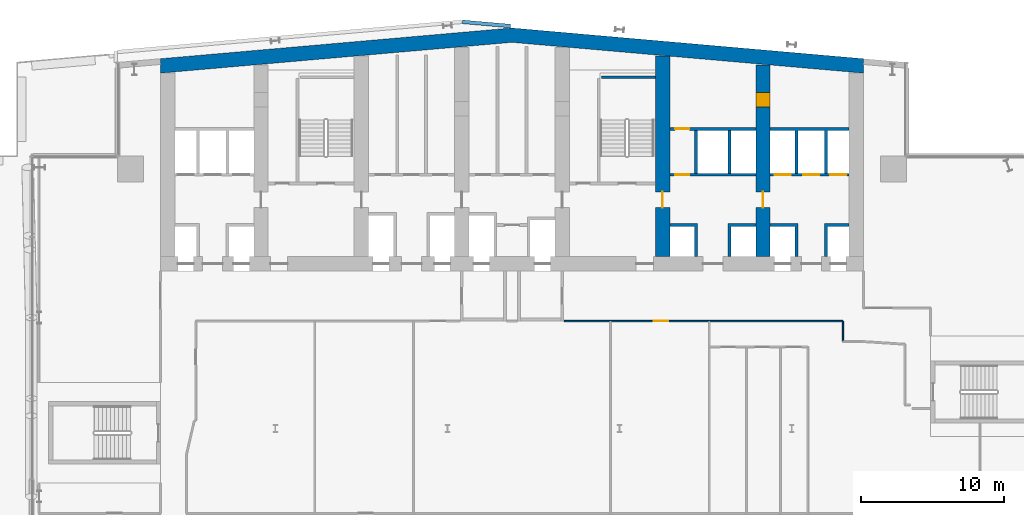
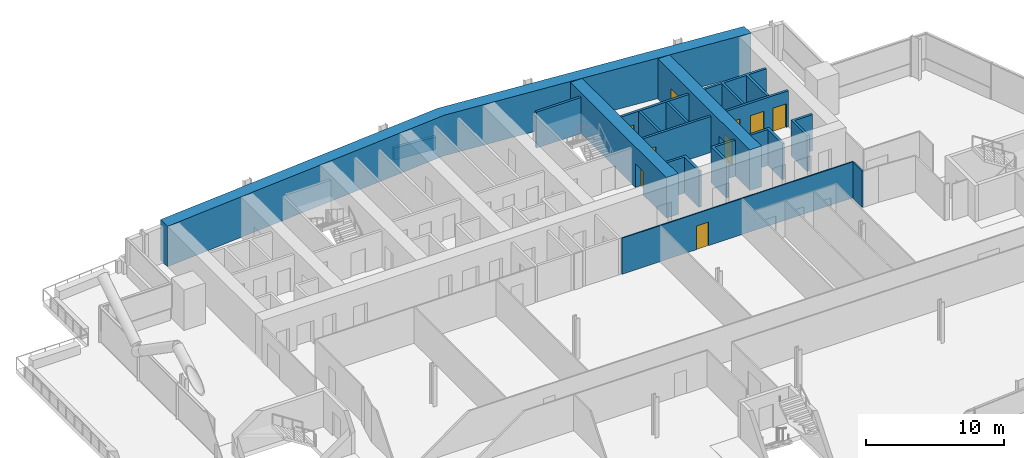
# One storey, part 16 of 26: 17 walls, 9 doors, 9 openings.
"""IFC4 building model written with IfcOpenShell, lengths in metres."""

from ifc_helpers import new_model, si_unit, direction, frame, frame_2d, origin, place, context, subcontext, project, spatial, polyline, rectangle, outline, extrude, material, layer, layer_set, type_object, element, fill, save


model = new_model("IFC4")

# Units and contexts
model_context = context("Model", 3, precision=1e-05, world=origin(), true_north=direction((0.0, 1.0)))
body_context = subcontext(model_context, "Body", "Model", "MODEL_VIEW")
ifc_project = project(units=[si_unit("LENGTHUNIT", "METRE"), si_unit("AREAUNIT", "SQUARE_METRE"), si_unit("VOLUMEUNIT", "CUBIC_METRE"), si_unit("PLANEANGLEUNIT", "RADIAN"), si_unit("MASSUNIT", "GRAM", prefix="KILO")], contexts=[model_context])

# Site, building, storey
site_placement = place(None, origin())
site = spatial("IfcSite", under=ifc_project, at=site_placement, CompositionType="ELEMENT")
building_placement = place(site_placement, origin())
building = spatial("IfcBuilding", under=site, at=building_placement, Name="Wharfspan Tower", CompositionType="ELEMENT")
storey_placement = place(building_placement, frame((0.0, 0.0, 96.699951)))
storey = spatial("IfcBuildingStorey", under=building, at=storey_placement, Name="L21", CompositionType="ELEMENT", Elevation=96.699951)

# Wall
ifc_material_1 = material(Name="Gypsum board on steel studs", Category="steel")
ifc_layer_1 = layer(ifc_material_1, 0.100098)
ifc_layer_set_1 = layer_set([ifc_layer_1], Name="Gypsum board on steel studs")
wall_type_1 = type_object("IfcWallType", Name="Compartment wall 100 EI 60", PredefinedType="PARTITIONING", material=ifc_layer_set_1)
wall_1_placement = place(storey_placement, frame((63.574951, 29.074951, 0.0), z_axis=(0.0, 0.0, 1.0), x_axis=(0.0, 1.0, 0.0)))
element("IfcWall", 1, at=wall_1_placement, inside=storey, type_object=wall_type_1, Name="Partition L21.w028", PredefinedType="PARTITIONING", context=body_context, shape_type="SweptSolid", body=[
    extrude(rectangle(XDim=1.425049, YDim=0.100098, at=frame_2d((0.712402, 0.0))), origin(), (0.0, 0.0, 1.0), 3.199951),
])

# Wall, opening, door
wall_2_placement = place(storey_placement, frame((44.149902, 30.5, 0.0), z_axis=(0.0, 0.0, 1.0), x_axis=(1.0, 0.0, 0.0)))
wall_2 = element("IfcWall", 2, at=wall_2_placement, inside=storey, type_object=wall_type_1, Name="Partition L21.w013 (3)", PredefinedType="PARTITIONING", context=body_context, shape_type="SweptSolid", body=[
    extrude(rectangle(XDim=19.425049, YDim=0.100098, at=frame_2d((9.712402, 0.0))), origin(), (0.0, 0.0, 1.0), 3.199951),
])
opening_1_placement = place(wall_2_placement, frame((6.245117, 0.0, 0.0)))
opening_1 = element("IfcOpeningElement", 3, at=opening_1_placement, cuts=wall_2, Name="Opening B1-16", PredefinedType="OPENING", context=body_context, shape_type="SweptSolid", body=[
    extrude(rectangle(XDim=1.0, YDim=2.100098, at=frame_2d((0.5, 1.050049))), frame((0.0, 0.060059, 0.0), z_axis=(0.0, -1.0, 0.0), x_axis=(1.0, 0.0, 0.0)), (0.0, 0.0, 1.0), 0.120117),
])
ifc_material_2 = material(Name="Fire-rated timber door leaf in steel frame", Category="steel")
door_type_1 = type_object("IfcDoorType", Name="Door 1000 FD30S Right", OperationType="SINGLE_SWING_RIGHT", PredefinedType="DOOR", material=ifc_material_2)
door_1_placement = place(opening_1_placement, origin())
door_1 = element("IfcDoor", 4, at=door_1_placement, inside=storey, type_object=door_type_1, Name="Door B1-16", OperationType="SINGLE_SWING_RIGHT", OverallHeight=2.100098, OverallWidth=1.0, PredefinedType="DOOR", context=body_context, shape_type="SweptSolid", body=[
    extrude(rectangle(XDim=1.0, YDim=2.100098, at=frame_2d((0.5, 1.050049))), frame((0.0, 0.024902, 0.0), z_axis=(0.0, -1.0, 0.0), x_axis=(1.0, 0.0, 0.0)), (0.0, 0.0, 1.0), 0.050049),
])
fill(opening_1, door_1)

# Wall
ifc_material_3 = material(Name="Concrete C70/85", Category="concrete")
ifc_layer_2 = layer(ifc_material_3, 1.0)
ifc_layer_set_2 = layer_set([ifc_layer_2], Name="Concrete C70/85")
wall_type_2 = type_object("IfcWallType", Name="Core wall 1000 C70/85", PredefinedType="SHEAR", material=ifc_layer_set_2)
wall_3_placement = place(storey_placement, origin())
element("IfcWall", 5, at=wall_3_placement, inside=storey, type_object=wall_type_2, Name="Core rear wall L21", PredefinedType="SHEAR", context=body_context, shape_type="SweptSolid", body=[
    extrude(outline(polyline([(16.0, 47.783691), (40.5, 49.927002), (65.0, 47.783691), (65.0, 48.787354), (40.5, 50.930908), (16.0, 48.787354), (16.0, 47.783691)])), origin(), (0.0, 0.0, 1.0), 3.600098),
])

# Wall, opening, door
wall_4_placement = place(storey_placement, frame((51.0, 35.0, 0.0), z_axis=(0.0, 0.0, 1.0), x_axis=(0.0, 1.0, 0.0)))
wall_4 = element("IfcWall", 6, at=wall_4_placement, inside=storey, type_object=wall_type_2, Name="Core cross wall X6 L21", PredefinedType="SHEAR", context=body_context, shape_type="SweptSolid", body=[
    extrude(rectangle(XDim=13.9646, YDim=1.0, at=frame_2d((6.982422, 0.0))), origin(), (0.0, 0.0, 1.0), 3.600098),
])
opening_2_placement = place(wall_4_placement, frame((3.399902, 0.0, 0.0)))
opening_2 = element("IfcOpeningElement", 7, at=opening_2_placement, cuts=wall_4, Name="Opening CC21.6", PredefinedType="OPENING", context=body_context, shape_type="SweptSolid", body=[
    extrude(rectangle(XDim=1.100098, YDim=2.100098, at=frame_2d((0.550049, 1.050049))), frame((0.0, 0.51001, 0.0), z_axis=(0.0, -1.0, 0.0), x_axis=(1.0, 0.0, 0.0)), (0.0, 0.0, 1.0), 1.02002),
])
ifc_material_4 = material(Name="Steel door leaf", Category="steel")
door_type_2 = type_object("IfcDoorType", Name="Core corridor door 1100x2100", OperationType="SINGLE_SWING_LEFT", PredefinedType="DOOR", material=ifc_material_4)
door_2_placement = place(opening_2_placement, origin())
door_2 = element("IfcDoor", 8, at=door_2_placement, inside=storey, type_object=door_type_2, Name="xd:L21:6", OperationType="SINGLE_SWING_RIGHT", OverallHeight=2.100098, OverallWidth=1.100098, PredefinedType="DOOR", context=body_context, shape_type="SweptSolid", body=[
    extrude(rectangle(XDim=1.100098, YDim=2.100098, at=frame_2d((0.550049, 1.050049))), frame((0.0, 0.024902, 0.0), z_axis=(0.0, -1.0, 0.0), x_axis=(1.0, 0.0, 0.0)), (0.0, 0.0, 1.0), 0.050049),
])
fill(opening_2, door_2)

# Wall, openings, doors
wall_5_placement = place(storey_placement, frame((58.0, 35.0, 0.0), z_axis=(0.0, 0.0, 1.0), x_axis=(0.0, 1.0, 0.0)))
wall_5 = element("IfcWall", 9, at=wall_5_placement, inside=storey, type_object=wall_type_2, Name="Core cross wall X7 L21", PredefinedType="SHEAR", context=body_context, shape_type="SweptSolid", body=[
    extrude(rectangle(XDim=13.352295, YDim=1.0, at=frame_2d((6.67627, 0.0))), origin(), (0.0, 0.0, 1.0), 3.600098),
])
opening_3_placement = place(wall_5_placement, frame((10.425537, 0.0, 0.0)))
opening_3 = element("IfcOpeningElement", 10, at=opening_3_placement, cuts=wall_5, Name="Opening CD21.7X", PredefinedType="OPENING", context=body_context, shape_type="SweptSolid", body=[
    extrude(rectangle(XDim=1.0, YDim=2.100098, at=frame_2d((0.5, 1.050049))), frame((0.0, 0.51001, 0.0), z_axis=(0.0, -1.0, 0.0), x_axis=(1.0, 0.0, 0.0)), (0.0, 0.0, 1.0), 1.02002),
])
opening_4_placement = place(wall_5_placement, frame((3.399902, 0.0, 0.0)))
opening_4 = element("IfcOpeningElement", 11, at=opening_4_placement, cuts=wall_5, Name="Opening CC21.7", PredefinedType="OPENING", context=body_context, shape_type="SweptSolid", body=[
    extrude(rectangle(XDim=1.100098, YDim=2.100098, at=frame_2d((0.550049, 1.050049))), frame((0.0, 0.51001, 0.0), z_axis=(0.0, -1.0, 0.0), x_axis=(1.0, 0.0, 0.0)), (0.0, 0.0, 1.0), 1.02002),
])
door_3_placement = place(opening_4_placement, origin())
door_3 = element("IfcDoor", 12, at=door_3_placement, inside=storey, type_object=door_type_2, Name="xd:L21:7", OperationType="SINGLE_SWING_LEFT", OverallHeight=2.100098, OverallWidth=1.100098, PredefinedType="DOOR", context=body_context, shape_type="SweptSolid", body=[
    extrude(rectangle(XDim=1.100098, YDim=2.100098, at=frame_2d((0.550049, 1.050049))), frame((0.0, 0.024902, 0.0), z_axis=(0.0, -1.0, 0.0), x_axis=(1.0, 0.0, 0.0)), (0.0, 0.0, 1.0), 0.050049),
])
fill(opening_4, door_3)
door_type_3 = type_object("IfcDoorType", Name="Core room door 1000x2100", OperationType="SINGLE_SWING_LEFT", PredefinedType="DOOR", material=ifc_material_4)
door_4_placement = place(opening_3_placement, origin())
door_4 = element("IfcDoor", 13, at=door_4_placement, inside=storey, type_object=door_type_3, Name="d:L21:7:sx", OperationType="SINGLE_SWING_LEFT", OverallHeight=2.100098, OverallWidth=1.0, PredefinedType="DOOR", context=body_context, shape_type="SweptSolid", body=[
    extrude(rectangle(XDim=1.0, YDim=2.100098, at=frame_2d((0.5, 1.050049))), frame((0.0, 0.499756, 0.0), z_axis=(0.0, -1.0, 0.0), x_axis=(1.0, 0.0, 0.0)), (0.0, 0.0, 1.0), 0.999512),
])
fill(opening_3, door_4)

# Wall, opening, door
ifc_material_5 = material(Name="Concrete C30/37", Category="concrete")
ifc_layer_3 = layer(ifc_material_5, 0.199951)
ifc_layer_set_3 = layer_set([ifc_layer_3], Name="Concrete C30/37")
wall_type_3 = type_object("IfcWallType", Name="Lift shaft wall 200", PredefinedType="PARTITIONING", material=ifc_layer_set_3)
wall_6_placement = place(storey_placement, frame((51.5, 40.699951, 0.0), z_axis=(0.0, 0.0, 1.0), x_axis=(1.0, 0.0, 0.0)))
wall_6 = element("IfcWall", 14, at=wall_6_placement, inside=storey, type_object=wall_type_3, Name="sw:L21:RF6", PredefinedType="PARTITIONING", context=body_context, shape_type="SweptSolid", body=[
    extrude(rectangle(XDim=6.0, YDim=0.199951, at=frame_2d((3.0, 0.0))), origin(), (0.0, 0.0, 1.0), 3.199951),
])
opening_5_placement = place(wall_6_placement, frame((0.366699, 0.0, 0.0)))
opening_5 = element("IfcOpeningElement", 15, at=opening_5_placement, cuts=wall_6, Name="Opening CD21.6R1", PredefinedType="OPENING", context=body_context, shape_type="SweptSolid", body=[
    extrude(rectangle(XDim=1.0, YDim=2.100098, at=frame_2d((0.5, 1.050049))), frame((0.0, 0.109863, 0.0), z_axis=(0.0, -1.0, 0.0), x_axis=(1.0, 0.0, 0.0)), (0.0, 0.0, 1.0), 0.219971),
])
door_5_placement = place(opening_5_placement, origin())
door_5 = element("IfcDoor", 16, at=door_5_placement, inside=storey, type_object=door_type_3, Name="d:L21:6:rd6.1", OperationType="SINGLE_SWING_RIGHT", OverallHeight=2.100098, OverallWidth=1.0, PredefinedType="DOOR", context=body_context, shape_type="SweptSolid", body=[
    extrude(rectangle(XDim=1.0, YDim=2.100098, at=frame_2d((0.5, 1.050049))), frame((0.0, 0.024902, 0.0), z_axis=(0.0, -1.0, 0.0), x_axis=(1.0, 0.0, 0.0)), (0.0, 0.0, 1.0), 0.050049),
])
fill(opening_5, door_5)

wall_7_placement = place(storey_placement, frame((51.5, 43.899902, 0.0), z_axis=(0.0, 0.0, 1.0), x_axis=(1.0, 0.0, 0.0)))
wall_7 = element("IfcWall", 17, at=wall_7_placement, inside=storey, type_object=wall_type_3, Name="sw:L21:RR6", PredefinedType="PARTITIONING", context=body_context, shape_type="SweptSolid", body=[
    extrude(rectangle(XDim=6.0, YDim=0.199951, at=frame_2d((3.0, 0.0))), origin(), (0.0, 0.0, 1.0), 3.199951),
])
opening_6_placement = place(wall_7_placement, frame((0.366699, 0.0, 0.0)))
opening_6 = element("IfcOpeningElement", 18, at=opening_6_placement, cuts=wall_7, Name="Opening CD21.6S1", PredefinedType="OPENING", context=body_context, shape_type="SweptSolid", body=[
    extrude(rectangle(XDim=1.0, YDim=2.100098, at=frame_2d((0.5, 1.050049))), frame((0.0, 0.109863, 0.0), z_axis=(0.0, -1.0, 0.0), x_axis=(1.0, 0.0, 0.0)), (0.0, 0.0, 1.0), 0.219971),
])
door_6_placement = place(opening_6_placement, origin())
door_6 = element("IfcDoor", 19, at=door_6_placement, inside=storey, type_object=door_type_3, Name="d:L21:6:rs6.1", OperationType="SINGLE_SWING_LEFT", OverallHeight=2.100098, OverallWidth=1.0, PredefinedType="DOOR", context=body_context, shape_type="SweptSolid", body=[
    extrude(rectangle(XDim=1.0, YDim=2.100098, at=frame_2d((0.5, 1.050049))), frame((0.0, 0.024902, 0.0), z_axis=(0.0, -1.0, 0.0), x_axis=(1.0, 0.0, 0.0)), (0.0, 0.0, 1.0), 0.050049),
])
fill(opening_6, door_6)

# Walls
wall_8_placement = place(storey_placement, frame((0.0, 0.0, -0.000244)))
element("IfcWall", 20, at=wall_8_placement, inside=storey, type_object=wall_type_3, Name="sw:L21:FM6.0", PredefinedType="PARTITIONING", context=body_context, shape_type="SweptSolid", body=[
    extrude(outline(polyline([(53.233398, 37.100098), (51.5, 37.100098), (51.5, 37.300049), (53.233398, 37.300049), (53.43335, 37.300049), (53.43335, 35.0), (53.233398, 35.0), (53.233398, 37.100098)])), origin(), (0.0, 0.0, 1.0), 3.200195),
])
wall_9_placement = place(storey_placement, frame((0.0, 0.0, -0.000244)))
element("IfcWall", 21, at=wall_9_placement, inside=storey, type_object=wall_type_3, Name="sw:L21:FM6.1", PredefinedType="PARTITIONING", context=body_context, shape_type="SweptSolid", body=[
    extrude(outline(polyline([(55.56665, 37.300049), (55.766602, 37.300049), (57.5, 37.300049), (57.5, 37.100098), (55.766602, 37.100098), (55.766602, 35.0), (55.56665, 35.0), (55.56665, 37.300049)])), origin(), (0.0, 0.0, 1.0), 3.200195),
])
wall_10_placement = place(storey_placement, frame((0.0, 0.0, -0.000244)))
element("IfcWall", 22, at=wall_10_placement, inside=storey, type_object=wall_type_3, Name="sw:L21:RM6.0", PredefinedType="PARTITIONING", context=body_context, shape_type="SweptSolid", body=[
    extrude(outline(polyline([(53.233398, 40.800049), (53.233398, 43.800049), (53.43335, 43.800049), (53.43335, 40.800049), (53.233398, 40.800049)])), origin(), (0.0, 0.0, 1.0), 3.200195),
])
wall_11_placement = place(storey_placement, frame((0.0, 0.0, -0.000244)))
element("IfcWall", 23, at=wall_11_placement, inside=storey, type_object=wall_type_3, Name="sw:L21:RM6.1", PredefinedType="PARTITIONING", context=body_context, shape_type="SweptSolid", body=[
    extrude(outline(polyline([(55.56665, 40.800049), (55.56665, 43.800049), (55.766602, 43.800049), (55.766602, 40.800049), (55.56665, 40.800049)])), origin(), (0.0, 0.0, 1.0), 3.200195),
])

# Wall, openings, doors
wall_12_placement = place(storey_placement, frame((58.5, 40.699951, 0.0), z_axis=(0.0, 0.0, 1.0), x_axis=(1.0, 0.0, 0.0)))
wall_12 = element("IfcWall", 24, at=wall_12_placement, inside=storey, type_object=wall_type_3, Name="sw:L21:RF7", PredefinedType="PARTITIONING", context=body_context, shape_type="SweptSolid", body=[
    extrude(rectangle(XDim=5.5, YDim=0.199951, at=frame_2d((2.75, 0.0))), origin(), (0.0, 0.0, 1.0), 3.199951),
])
opening_7_placement = place(wall_12_placement, frame((0.31665, 0.0, 0.0)))
opening_7 = element("IfcOpeningElement", 25, at=opening_7_placement, cuts=wall_12, Name="Opening LD.LA8.L21", PredefinedType="OPENING", context=body_context, shape_type="SweptSolid", body=[
    extrude(rectangle(XDim=1.100098, YDim=2.100098, at=frame_2d((0.550049, 1.050049))), frame((0.0, 0.109863, 0.0), z_axis=(0.0, -1.0, 0.0), x_axis=(1.0, 0.0, 0.0)), (0.0, 0.0, 1.0), 0.219971),
])
opening_8_placement = place(wall_12_placement, frame((2.31665, 0.0, 0.0)))
opening_8 = element("IfcOpeningElement", 26, at=opening_8_placement, cuts=wall_12, Name="Opening LD.LA9.L21", PredefinedType="OPENING", context=body_context, shape_type="SweptSolid", body=[
    extrude(rectangle(XDim=1.100098, YDim=2.100098, at=frame_2d((0.550049, 1.050049))), frame((0.0, 0.109863, 0.0), z_axis=(0.0, -1.0, 0.0), x_axis=(1.0, 0.0, 0.0)), (0.0, 0.0, 1.0), 0.219971),
])
opening_9_placement = place(wall_12_placement, frame((4.199951, 0.0, 0.0)))
opening_9 = element("IfcOpeningElement", 27, at=opening_9_placement, cuts=wall_12, Name="Opening LD.LA10.L21", PredefinedType="OPENING", context=body_context, shape_type="SweptSolid", body=[
    extrude(rectangle(XDim=1.100098, YDim=2.100098, at=frame_2d((0.550049, 1.050049))), frame((0.0, 0.109863, 0.0), z_axis=(0.0, -1.0, 0.0), x_axis=(1.0, 0.0, 0.0)), (0.0, 0.0, 1.0), 0.219971),
])
ifc_material_6 = material(Name="Stainless steel", Category="steel")
door_type_4 = type_object("IfcDoorType", Name="Lift landing door 1100x2100", OperationType="DOUBLE_DOOR_SLIDING", PredefinedType="DOOR", material=ifc_material_6)
door_7_placement = place(opening_7_placement, origin())
door_7 = element("IfcDoor", 28, at=door_7_placement, inside=storey, type_object=door_type_4, Name="Landing door LA8 L21", OperationType="DOUBLE_DOOR_SLIDING", OverallHeight=2.100098, OverallWidth=1.100098, PredefinedType="DOOR", context=body_context, shape_type="SweptSolid", body=[
    extrude(rectangle(XDim=1.100098, YDim=2.100098, at=frame_2d((0.550049, 1.050049))), frame((0.0, 0.024902, 0.0), z_axis=(0.0, -1.0, 0.0), x_axis=(1.0, 0.0, 0.0)), (0.0, 0.0, 1.0), 0.050049),
])
fill(opening_7, door_7)
door_8_placement = place(opening_8_placement, origin())
door_8 = element("IfcDoor", 29, at=door_8_placement, inside=storey, type_object=door_type_4, Name="Landing door LA9 L21", OperationType="DOUBLE_DOOR_SLIDING", OverallHeight=2.100098, OverallWidth=1.100098, PredefinedType="DOOR", context=body_context, shape_type="SweptSolid", body=[
    extrude(rectangle(XDim=1.100098, YDim=2.100098, at=frame_2d((0.550049, 1.050049))), frame((0.0, 0.024902, 0.0), z_axis=(0.0, -1.0, 0.0), x_axis=(1.0, 0.0, 0.0)), (0.0, 0.0, 1.0), 0.050049),
])
fill(opening_8, door_8)
door_9_placement = place(opening_9_placement, origin())
door_9 = element("IfcDoor", 30, at=door_9_placement, inside=storey, type_object=door_type_4, Name="Landing door LA10 L21", OperationType="DOUBLE_DOOR_SLIDING", OverallHeight=2.100098, OverallWidth=1.100098, PredefinedType="DOOR", context=body_context, shape_type="SweptSolid", body=[
    extrude(rectangle(XDim=1.100098, YDim=2.100098, at=frame_2d((0.550049, 1.050049))), frame((0.0, 0.024902, 0.0), z_axis=(0.0, -1.0, 0.0), x_axis=(1.0, 0.0, 0.0)), (0.0, 0.0, 1.0), 0.050049),
])
fill(opening_9, door_9)

# Walls
wall_13_placement = place(storey_placement, frame((0.0, 0.0, -0.000244)))
element("IfcWall", 31, at=wall_13_placement, inside=storey, type_object=wall_type_3, Name="sw:L21:FM7.0", PredefinedType="PARTITIONING", context=body_context, shape_type="SweptSolid", body=[
    extrude(outline(polyline([(60.233398, 37.100098), (58.5, 37.100098), (58.5, 37.300049), (60.233398, 37.300049), (60.43335, 37.300049), (60.43335, 35.0), (60.233398, 35.0), (60.233398, 37.100098)])), origin(), (0.0, 0.0, 1.0), 3.200195),
])
wall_14_placement = place(storey_placement, frame((0.0, 0.0, -0.000244)))
element("IfcWall", 32, at=wall_14_placement, inside=storey, type_object=wall_type_3, Name="sw:L21:FM7.1", PredefinedType="PARTITIONING", context=body_context, shape_type="SweptSolid", body=[
    extrude(outline(polyline([(62.300049, 37.300049), (62.5, 37.300049), (64.0, 37.300049), (64.0, 37.100098), (62.5, 37.100098), (62.5, 35.0), (62.300049, 35.0), (62.300049, 37.300049)])), origin(), (0.0, 0.0, 1.0), 3.200195),
])
wall_15_placement = place(storey_placement, frame((0.0, 0.0, -0.000244)))
element("IfcWall", 33, at=wall_15_placement, inside=storey, type_object=wall_type_3, Name="sw:L21:RM7.0", PredefinedType="PARTITIONING", context=body_context, shape_type="SweptSolid", body=[
    extrude(outline(polyline([(60.43335, 40.800049), (60.233398, 40.800049), (60.233398, 43.800049), (58.5, 43.800049), (58.5, 44.0), (64.0, 44.0), (64.0, 43.800049), (62.5, 43.800049), (62.5, 40.800049), (62.300049, 40.800049), (62.300049, 43.800049), (60.43335, 43.800049), (60.43335, 40.800049)])), origin(), (0.0, 0.0, 1.0), 3.200195),
])
ifc_material_7 = material(Name="Concrete C40/50", Category="concrete")
ifc_layer_4 = layer(ifc_material_7, 0.25)
ifc_layer_set_4 = layer_set([ifc_layer_4], Name="Concrete C40/50")
wall_type_4 = type_object("IfcWallType", Name="PARAPET CONCRETE 250", PredefinedType="PARAPET", material=ifc_layer_set_4)
wall_16_placement = place(storey_placement, frame((37.029785, 51.359863, 0.0), z_axis=(0.0, 0.0, 1.0), x_axis=(0.996193, -0.087128, 0.0)))
element("IfcWall", 34, at=wall_16_placement, inside=storey, type_object=wall_type_4, Name="Ledge parapet", PredefinedType="PARAPET", context=body_context, shape_type="SweptSolid", body=[
    extrude(rectangle(XDim=3.379395, YDim=0.25, at=frame_2d((1.689697, 0.0))), origin(), (0.0, 0.0, 1.0), 1.100098),
])
ifc_layer_5 = layer(ifc_material_7, 0.199951)
ifc_layer_set_5 = layer_set([ifc_layer_5], Name="Concrete C40/50")
wall_type_5 = type_object("IfcWallType", Name="Stair shaft wall 200", PredefinedType="SHEAR", material=ifc_layer_set_5)
wall_17_placement = place(storey_placement, frame((46.75, 47.5, 0.0), z_axis=(0.0, 0.0, 1.0), x_axis=(1.0, 0.0, 0.0)))
element("IfcWall", 35, at=wall_17_placement, inside=storey, type_object=wall_type_5, Name="ST2 stair enclosure wall L21", PredefinedType="SHEAR", context=body_context, shape_type="SweptSolid", body=[
    extrude(rectangle(XDim=3.75, YDim=0.199951, at=frame_2d((1.875, 0.0))), origin(), (0.0, 0.0, 1.0), 3.199951),
])

save(model, "model.ifc")
